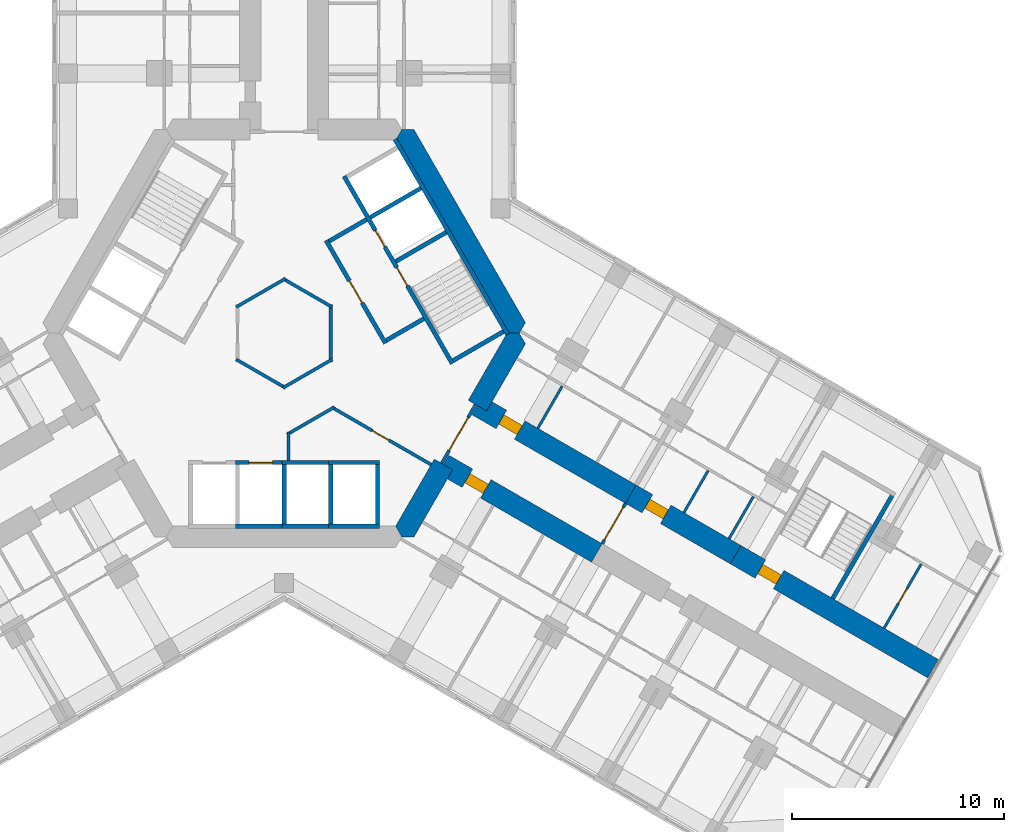
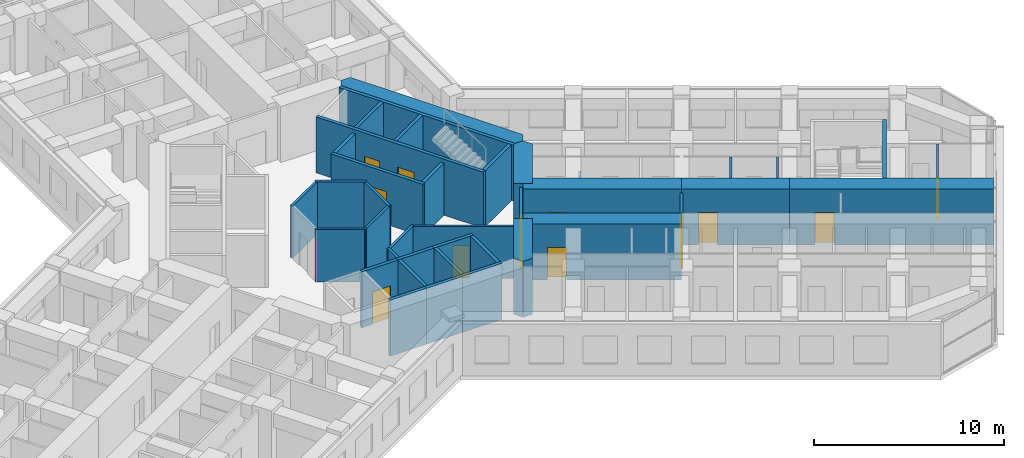
# One storey, part 15 of 21: 39 walls, 12 doors, 12 openings.
"""IFC4 building model written with IfcOpenShell, lengths in metres."""

from ifc_helpers import new_model, si_unit, direction, frame, frame_2d, origin, place, context, subcontext, project, spatial, polyline, rectangle, outline, extrude, material, layer, layer_set, type_object, element, fill, save


model = new_model("IFC4")

# Units and contexts
model_context = context("Model", 3, precision=1e-05, world=origin(), true_north=direction((0.0, 1.0)))
body_context = subcontext(model_context, "Body", "Model", "MODEL_VIEW")
ifc_project = project(units=[si_unit("LENGTHUNIT", "METRE"), si_unit("AREAUNIT", "SQUARE_METRE"), si_unit("VOLUMEUNIT", "CUBIC_METRE"), si_unit("PLANEANGLEUNIT", "RADIAN"), si_unit("MASSUNIT", "GRAM", prefix="KILO")], contexts=[model_context])

# Site, building, storey
site_placement = place(None, origin())
site = spatial("IfcSite", under=ifc_project, at=site_placement, CompositionType="ELEMENT")
building_placement = place(site_placement, origin())
building = spatial("IfcBuilding", under=site, at=building_placement, Name="Kosmar Iwan School Tower", CompositionType="ELEMENT")
storey_placement = place(building_placement, frame((0.0, 0.0, 106.0)))
storey = spatial("IfcBuildingStorey", under=building, at=storey_placement, Name="L26", CompositionType="ELEMENT", Elevation=106.0)

# Walls
ifc_material_1 = material(Name="Gypsum board on steel studs, fire-rated", Category="steel")
ifc_layer_1 = layer(ifc_material_1, 0.14990234375)
ifc_layer_set_1 = layer_set([ifc_layer_1], Name="Core room partition 150")
wall_type_1 = type_object("IfcWallType", Name="Core room partition 150", PredefinedType="PARTITIONING", material=ifc_layer_set_1)
for number, where, z_axis, x_axis, name in (
    (1, (2.264892578125, -1.232666015625, 0.0), (0.0, 0.0, 1.0), (-0.866011792348, -0.500023574959, 0.0), "Core room partition L26-CW4"),
    (2, (0.06494140625, -2.577880859375, 0.0), (0.0, 0.0, 1.0), (-0.866011792348, 0.500023574959, 0.0), "Core room partition L26-CW5"),
    (3, (-2.264892578125, 1.232666015625, 0.0), (0.0, 0.0, 1.0), (0.866011792348, 0.500023574959, 0.0), "Core room partition L26-CW7"),
    (4, (-0.06494140625, 2.577880859375, 0.0), (0.0, 0.0, 1.0), (0.866011792348, -0.500023574959, 0.0), "Core room partition L26-CW8"),
):
    element("IfcWall", number, at=place(storey_placement, frame(where, z_axis=z_axis, x_axis=x_axis)), inside=storey, type_object=wall_type_1, Name=name, PredefinedType="PARTITIONING", context=body_context, shape_type="SweptSolid", body=[
        extrude(rectangle(XDim=2.690185546875, YDim=0.14990234375, at=frame_2d((1.34521484375, 0.0))), origin(), (0.0, 0.0, 1.0), 3.35009765625),
    ])
wall_1_placement = place(storey_placement, frame((2.199951171875, 1.34521484375, 0.0), z_axis=(0.0, 0.0, 1.0), x_axis=(0.0, -1.0, 0.0)))
element("IfcWall", 5, at=wall_1_placement, inside=storey, type_object=wall_type_1, Name="Core room partition L26-CW9", PredefinedType="PARTITIONING", context=body_context, shape_type="SweptSolid", body=[
    extrude(rectangle(XDim=2.6904296875, YDim=0.14990234375, at=frame_2d((1.34521484375, 0.0))), origin(), (0.0, 0.0, 1.0), 3.35009765625),
])
wall_2_placement = place(storey_placement, frame((0.135009765625, -4.771728515625, 0.0), z_axis=(0.0, 0.0, 1.0), x_axis=(0.866046643894, 0.499963209246, 0.0)))
element("IfcWall", 6, at=wall_2_placement, inside=storey, type_object=wall_type_1, Name="Core room partition L26-CW10", PredefinedType="PARTITIONING", context=body_context, shape_type="SweptSolid", body=[
    extrude(rectangle(XDim=2.574951171875, YDim=0.14990234375, at=frame_2d((1.28759765625, 0.0))), origin(), (0.0, 0.0, 1.0), 3.35009765625),
])

# Wall, opening, door
wall_3_placement = place(storey_placement, frame((2.235107421875, -3.484375, 0.0), z_axis=(0.0, 0.0, 1.0), x_axis=(0.866020628587, -0.500008270794, 0.0)))
wall_3 = element("IfcWall", 7, at=wall_3_placement, inside=storey, type_object=wall_type_1, Name="Core room partition L26-CW11", PredefinedType="PARTITIONING", context=body_context, shape_type="SweptSolid", body=[
    extrude(rectangle(XDim=5.42236328125, YDim=0.14990234375, at=frame_2d((2.711181640625, 0.0))), origin(), (0.0, 0.0, 1.0), 3.35009765625),
])
opening_1_placement = place(wall_3_placement, frame((2.218994140625, 0.0, 0.0)))
opening_1 = element("IfcOpeningElement", 8, at=opening_1_placement, cuts=wall_3, Name="Opening D14", PredefinedType="OPENING", context=body_context, shape_type="SweptSolid", body=[
    extrude(rectangle(XDim=0.89990234375, YDim=2.10009765625, at=frame_2d((0.449951171875, 1.050048828125))), frame((0.0, 0.0869140625, 0.0), z_axis=(0.0, -1.0, 0.0), x_axis=(1.0, 0.0, 0.0)), (0.0, 0.0, 1.0), 0.173828125),
])
ifc_material_2 = material(Name="Timber fire door in steel frame", Category="steel")
door_type_1 = type_object("IfcDoorType", Name="Core room door 900x2100", OperationType="SINGLE_SWING_LEFT", PredefinedType="DOOR", material=ifc_material_2)
door_1_placement = place(opening_1_placement, origin())
door_1 = element("IfcDoor", 9, at=door_1_placement, inside=storey, type_object=door_type_1, Name="Refuse and recycling room door L26 4", OperationType="SINGLE_SWING_LEFT", OverallHeight=2.10009765625, OverallWidth=0.89990234375, PredefinedType="DOOR", context=body_context, shape_type="SweptSolid", body=[
    extrude(rectangle(XDim=0.89990234375, YDim=2.10009765625, at=frame_2d((0.449951171875, 1.050048828125))), frame((0.0, 0.02490234375, 0.0), z_axis=(0.0, -1.0, 0.0), x_axis=(1.0, 0.0, 0.0)), (0.0, 0.0, 1.0), 0.050048828125),
])
fill(opening_1, door_1)

# Walls
wall_4_placement = place(storey_placement, frame((0.199951171875, -6.0048828125, 0.0), z_axis=(0.0, 0.0, 1.0), x_axis=(0.0, 1.0, 0.0)))
element("IfcWall", 10, at=wall_4_placement, inside=storey, type_object=wall_type_1, Name="Core room partition L26-CW12", PredefinedType="PARTITIONING", context=body_context, shape_type="SweptSolid", body=[
    extrude(rectangle(XDim=1.345703125, YDim=0.14990234375, at=frame_2d((0.6728515625, 0.0))), origin(), (0.0, 0.0, 1.0), 3.35009765625),
])
ifc_material_3 = material(Name="Concrete C50/60", Category="concrete")
ifc_layer_2 = layer(ifc_material_3, 1.0)
ifc_layer_set_2 = layer_set([ifc_layer_2], Name="Core wall 1000")
wall_type_2 = type_object("IfcWallType", Name="Core wall 1000", PredefinedType="SHEAR", material=ifc_layer_set_2)
wall_5_placement = place(storey_placement, origin())
element("IfcWall", 11, at=wall_5_placement, inside=storey, type_object=wall_type_2, Name="Core wall F030", PredefinedType="SHEAR", context=body_context, shape_type="SweptSolid", body=[
    extrude(outline(polyline([(10.5078125, 0.0), (11.085205078125, 0.0), (11.373779296875, 0.5), (6.119873046875, 9.60009765625), (5.54248046875, 9.60009765625), (5.25390625, 9.10009765625), (10.5078125, 0.0)])), origin(), (0.0, 0.0, 1.0), 3.60009765625),
])
wall_6_placement = place(storey_placement, origin())
element("IfcWall", 12, at=wall_6_placement, inside=storey, type_object=wall_type_2, Name="Core wall F330a", PredefinedType="SHEAR", context=body_context, shape_type="SweptSolid", body=[
    extrude(outline(polyline([(5.54248046875, -9.60009765625), (6.119873046875, -9.60009765625), (7.94677734375, -6.435546875), (7.080810546875, -5.935546875), (5.25390625, -9.10009765625), (5.54248046875, -9.60009765625)])), origin(), (0.0, 0.0, 1.0), 3.60009765625),
])
wall_7_placement = place(storey_placement, origin())
element("IfcWall", 13, at=wall_7_placement, inside=storey, type_object=wall_type_2, Name="Core wall F330b", PredefinedType="SHEAR", context=body_context, shape_type="SweptSolid", body=[
    extrude(outline(polyline([(9.546875, -3.664306640625), (11.373779296875, -0.5), (11.085205078125, 0.0), (10.5078125, 0.0), (8.680908203125, -3.164306640625), (9.546875, -3.664306640625)])), origin(), (0.0, 0.0, 1.0), 3.60009765625),
])

# Wall, opening, door
ifc_material_4 = material(Name="Concrete C50/60", Category="concrete")
ifc_layer_3 = layer(ifc_material_4, 1.0)
ifc_layer_set_3 = layer_set([ifc_layer_3], Name="Corridor buttress wall 1000")
wall_type_3 = type_object("IfcWallType", Name="Corridor buttress wall 1000", PredefinedType="SHEAR", material=ifc_layer_set_3)
wall_8_placement = place(storey_placement, frame((9.11376953125, -3.414306640625, 0.0), z_axis=(0.0, 0.0, 1.0), x_axis=(0.866026859388, -0.499997478812, 0.0)))
wall_8 = element("IfcWall", 14, at=wall_8_placement, inside=storey, type_object=wall_type_3, Name="Corridor wall CL", PredefinedType="SHEAR", context=body_context, shape_type="SweptSolid", body=[
    extrude(rectangle(XDim=8.35009765625, YDim=1.0, at=frame_2d((4.175048828125, 0.0))), origin(), (0.0, 0.0, 1.0), 3.60009765625),
])
opening_2_placement = place(wall_8_placement, frame((1.300048828125, 0.0, 0.0)))
opening_2 = element("IfcOpeningElement", 15, at=opening_2_placement, cuts=wall_8, Name="Opening D1", PredefinedType="OPENING", context=body_context, shape_type="SweptSolid", body=[
    extrude(rectangle(XDim=1.0, YDim=2.10009765625, at=frame_2d((0.5, 1.050048828125))), frame((0.0, 0.511962890625, 0.0), z_axis=(0.0, -1.0, 0.0), x_axis=(1.0, 0.0, 0.0)), (0.0, 0.0, 1.0), 1.02392578125),
])
ifc_material_5 = material(Name="Timber fire door in steel frame", Category="steel")
door_type_2 = type_object("IfcDoorType", Name="Flat entrance door 1000x2100", OperationType="SINGLE_SWING_LEFT", PredefinedType="DOOR", material=ifc_material_5)
door_2_placement = place(opening_2_placement, origin())
door_2 = element("IfcDoor", 16, at=door_2_placement, inside=storey, type_object=door_type_2, Name="Flat L26-CL1 entrance door", OperationType="SINGLE_SWING_RIGHT", OverallHeight=2.10009765625, OverallWidth=1.0, PredefinedType="DOOR", context=body_context, shape_type="SweptSolid", body=[
    extrude(rectangle(XDim=1.0, YDim=2.10009765625, at=frame_2d((0.5, 1.050048828125))), frame((0.0, 0.25, 0.0), z_axis=(0.0, -1.0, 0.0), x_axis=(1.0, 0.0, 0.0)), (0.0, 0.0, 1.0), 0.5),
])
fill(opening_2, door_2)

wall_9_placement = place(storey_placement, frame((16.34521484375, -7.58935546875, 0.0), z_axis=(0.0, 0.0, 1.0), x_axis=(0.866015111908, -0.50001782563, 0.0)))
wall_9 = element("IfcWall", 17, at=wall_9_placement, inside=storey, type_object=wall_type_3, Name="Corridor wall CL bay 2", PredefinedType="SHEAR", context=body_context, shape_type="SweptSolid", body=[
    extrude(rectangle(XDim=5.699951171875, YDim=1.0, at=frame_2d((2.85009765625, 0.0))), origin(), (0.0, 0.0, 1.0), 3.60009765625),
])
opening_3_placement = place(wall_9_placement, frame((0.89990234375, 0.0, 0.0)))
opening_3 = element("IfcOpeningElement", 18, at=opening_3_placement, cuts=wall_9, Name="Opening D1", PredefinedType="OPENING", context=body_context, shape_type="SweptSolid", body=[
    extrude(rectangle(XDim=1.0, YDim=2.10009765625, at=frame_2d((0.5, 1.050048828125))), frame((0.0, 0.511962890625, 0.0), z_axis=(0.0, -1.0, 0.0), x_axis=(1.0, 0.0, 0.0)), (0.0, 0.0, 1.0), 1.02392578125),
])
door_3_placement = place(opening_3_placement, origin())
door_3 = element("IfcDoor", 19, at=door_3_placement, inside=storey, type_object=door_type_2, Name="Flat L26-CL2 entrance door", OperationType="SINGLE_SWING_RIGHT", OverallHeight=2.10009765625, OverallWidth=1.0, PredefinedType="DOOR", context=body_context, shape_type="SweptSolid", body=[
    extrude(rectangle(XDim=1.0, YDim=2.10009765625, at=frame_2d((0.5, 1.050048828125))), frame((0.0, 0.25, 0.0), z_axis=(0.0, -1.0, 0.0), x_axis=(1.0, 0.0, 0.0)), (0.0, 0.0, 1.0), 0.5),
])
fill(opening_3, door_3)

wall_10_placement = place(storey_placement, frame((21.281494140625, -10.439453125, 0.0), z_axis=(0.0, 0.0, 1.0), x_axis=(0.866032345022, -0.499987977232, 0.0)))
wall_10 = element("IfcWall", 20, at=wall_10_placement, inside=storey, type_object=wall_type_3, Name="Corridor wall CL bay 3", PredefinedType="SHEAR", context=body_context, shape_type="SweptSolid", body=[
    extrude(rectangle(XDim=10.744873046875, YDim=1.0, at=frame_2d((5.37255859375, 0.0))), origin(), (0.0, 0.0, 1.0), 3.60009765625),
])
opening_4_placement = place(wall_10_placement, frame((1.35009765625, 0.0, 0.0)))
opening_4 = element("IfcOpeningElement", 21, at=opening_4_placement, cuts=wall_10, Name="Opening D6", PredefinedType="OPENING", context=body_context, shape_type="SweptSolid", body=[
    extrude(rectangle(XDim=1.0, YDim=2.10009765625, at=frame_2d((0.5, 1.050048828125))), frame((0.0, 0.511962890625, 0.0), z_axis=(0.0, -1.0, 0.0), x_axis=(1.0, 0.0, 0.0)), (0.0, 0.0, 1.0), 1.02392578125),
])
ifc_material_6 = material(Name="Steel fire door", Category="steel")
door_type_3 = type_object("IfcDoorType", Name="Stair door 1000x2100", OperationType="SINGLE_SWING_LEFT", PredefinedType="DOOR", material=ifc_material_6)
door_4_placement = place(opening_4_placement, origin())
door_4 = element("IfcDoor", 22, at=door_4_placement, inside=storey, type_object=door_type_3, Name="Stair WS3 door L26", OperationType="SINGLE_SWING_LEFT", OverallHeight=2.10009765625, OverallWidth=1.0, PredefinedType="DOOR", context=body_context, shape_type="SweptSolid", body=[
    extrude(rectangle(XDim=1.0, YDim=2.10009765625, at=frame_2d((0.5, 1.050048828125))), frame((0.0, 0.25, 0.0), z_axis=(0.0, -1.0, 0.0), x_axis=(1.0, 0.0, 0.0)), (0.0, 0.0, 1.0), 0.5),
])
fill(opening_4, door_4)

wall_11_placement = place(storey_placement, frame((7.513916015625, -6.185546875, 0.0), z_axis=(0.0, 0.0, 1.0), x_axis=(0.866019549707, -0.500010139422, 0.0)))
wall_11 = element("IfcWall", 23, at=wall_11_placement, inside=storey, type_object=wall_type_3, Name="Corridor wall CR", PredefinedType="SHEAR", context=body_context, shape_type="SweptSolid", body=[
    extrude(rectangle(XDim=8.349853515625, YDim=1.0, at=frame_2d((4.1748046875, 0.0))), origin(), (0.0, 0.0, 1.0), 3.60009765625),
])
opening_5_placement = place(wall_11_placement, frame((1.300048828125, 0.0, 0.0)))
opening_5 = element("IfcOpeningElement", 24, at=opening_5_placement, cuts=wall_11, Name="Opening D1", PredefinedType="OPENING", context=body_context, shape_type="SweptSolid", body=[
    extrude(rectangle(XDim=1.0, YDim=2.10009765625, at=frame_2d((0.5, 1.050048828125))), frame((0.0, 0.511962890625, 0.0), z_axis=(0.0, -1.0, 0.0), x_axis=(1.0, 0.0, 0.0)), (0.0, 0.0, 1.0), 1.02392578125),
])
door_5_placement = place(opening_5_placement, origin())
door_5 = element("IfcDoor", 25, at=door_5_placement, inside=storey, type_object=door_type_2, Name="Flat L26-CR1 entrance door", OperationType="SINGLE_SWING_LEFT", OverallHeight=2.10009765625, OverallWidth=1.0, PredefinedType="DOOR", context=body_context, shape_type="SweptSolid", body=[
    extrude(rectangle(XDim=1.0, YDim=2.10009765625, at=frame_2d((0.5, 1.050048828125))), frame((0.0, 0.25, 0.0), z_axis=(0.0, -1.0, 0.0), x_axis=(1.0, 0.0, 0.0)), (0.0, 0.0, 1.0), 0.5),
])
fill(opening_5, door_5)

ifc_material_7 = material(Name="Gypsum board on steel studs, fire-rated", Category="steel")
ifc_layer_4 = layer(ifc_material_7, 0.14990234375)
ifc_layer_set_4 = layer_set([ifc_layer_4], Name="Corridor end wall 150")
wall_type_4 = type_object("IfcWallType", Name="Corridor end wall 150", PredefinedType="PARTITIONING", material=ifc_layer_set_4)
wall_12_placement = place(storey_placement, frame((14.9951171875, -9.927734375, 0.0), z_axis=(0.0, 0.0, 1.0), x_axis=(0.50002983664, 0.866008176907, 0.0)))
wall_12 = element("IfcWall", 26, at=wall_12_placement, inside=storey, type_object=wall_type_4, Name="Partition L26-C-HW", PredefinedType="PARTITIONING", context=body_context, shape_type="SweptSolid", body=[
    extrude(rectangle(XDim=2.199951171875, YDim=0.14990234375, at=frame_2d((1.10009765625, 0.0))), origin(), (0.0, 0.0, 1.0), 3.35009765625),
])
opening_6_placement = place(wall_12_placement, frame((0.199951171875, 0.0, 0.0)))
opening_6 = element("IfcOpeningElement", 27, at=opening_6_placement, cuts=wall_12, Name="Opening D9", PredefinedType="OPENING", context=body_context, shape_type="SweptSolid", body=[
    extrude(rectangle(XDim=1.800048828125, YDim=2.10009765625, at=frame_2d((0.89990234375, 1.050048828125))), frame((0.0, 0.0869140625, 0.0), z_axis=(0.0, -1.0, 0.0), x_axis=(1.0, 0.0, 0.0)), (0.0, 0.0, 1.0), 0.173828125),
])
ifc_material_8 = material(Name="Steel framed glazed smoke door", Category="steel")
door_type_4 = type_object("IfcDoorType", Name="Corridor smoke door pair 1800x2100", OperationType="DOUBLE_DOOR_DOUBLE_SWING", PredefinedType="DOOR", material=ifc_material_8)
door_6_placement = place(opening_6_placement, origin())
door_6 = element("IfcDoor", 28, at=door_6_placement, inside=storey, type_object=door_type_4, Name="Entrance vestibule smoke doors L26-C", OperationType="DOUBLE_DOOR_DOUBLE_SWING", OverallHeight=2.10009765625, OverallWidth=1.800048828125, PredefinedType="DOOR", context=body_context, shape_type="SweptSolid", body=[
    extrude(rectangle(XDim=1.800048828125, YDim=2.10009765625, at=frame_2d((0.89990234375, 1.050048828125))), frame((0.0, 0.02490234375, 0.0), z_axis=(0.0, -1.0, 0.0), x_axis=(1.0, 0.0, 0.0)), (0.0, 0.0, 1.0), 0.050048828125),
])
fill(opening_6, door_6)

ifc_material_9 = material(Name="Steel framed glazed screen", Category="steel")
ifc_layer_5 = layer(ifc_material_9, 0.14990234375)
ifc_layer_set_5 = layer_set([ifc_layer_5], Name="Corridor screen wall 150")
wall_type_5 = type_object("IfcWallType", Name="Corridor screen wall 150", PredefinedType="PARTITIONING", material=ifc_layer_set_5)
wall_13_placement = place(storey_placement, frame((7.42724609375, -6.1357421875, 0.0), z_axis=(0.0, 0.0, 1.0), x_axis=(0.499995408039, 0.866028054938, 0.0)))
wall_13 = element("IfcWall", 29, at=wall_13_placement, inside=storey, type_object=wall_type_5, Name="Corridor screen C L26", PredefinedType="PARTITIONING", context=body_context, shape_type="SweptSolid", body=[
    extrude(rectangle(XDim=3.2001953125, YDim=0.14990234375, at=frame_2d((1.60009765625, 0.0))), origin(), (0.0, 0.0, 1.0), 3.35009765625),
])
opening_7_placement = place(wall_13_placement, frame((0.699951171875, 0.0, 0.0)))
opening_7 = element("IfcOpeningElement", 30, at=opening_7_placement, cuts=wall_13, Name="Opening D9", PredefinedType="OPENING", context=body_context, shape_type="SweptSolid", body=[
    extrude(rectangle(XDim=1.800048828125, YDim=2.10009765625, at=frame_2d((0.89990234375, 1.050048828125))), frame((0.0, 0.0869140625, 0.0), z_axis=(0.0, -1.0, 0.0), x_axis=(1.0, 0.0, 0.0)), (0.0, 0.0, 1.0), 0.173828125),
])
door_7_placement = place(opening_7_placement, origin())
door_7 = element("IfcDoor", 31, at=door_7_placement, inside=storey, type_object=door_type_4, Name="Corridor doors C L26", OperationType="DOUBLE_DOOR_DOUBLE_SWING", OverallHeight=2.10009765625, OverallWidth=1.800048828125, PredefinedType="DOOR", context=body_context, shape_type="SweptSolid", body=[
    extrude(rectangle(XDim=1.800048828125, YDim=2.10009765625, at=frame_2d((0.89990234375, 1.050048828125))), frame((0.0, 0.02490234375, 0.0), z_axis=(0.0, -1.0, 0.0), x_axis=(1.0, 0.0, 0.0)), (0.0, 0.0, 1.0), 0.050048828125),
])
fill(opening_7, door_7)

# Walls
ifc_material_10 = material(Name="Gypsum board on steel studs", Category="steel")
ifc_layer_6 = layer(ifc_material_10, 0.1201171875)
ifc_layer_set_6 = layer_set([ifc_layer_6], Name="Dwelling partition 120")
wall_type_6 = type_object("IfcWallType", Name="Dwelling partition 120", PredefinedType="PARTITIONING", material=ifc_layer_set_6)
wall_14_placement = place(storey_placement, frame((11.9619140625, -4.4814453125, 0.0), z_axis=(0.0, 0.0, 1.0), x_axis=(0.499968531483, 0.866043571379, 0.0)))
element("IfcWall", 32, at=wall_14_placement, inside=storey, type_object=wall_type_6, Name="Partition L26-CL1-Y1", PredefinedType="PARTITIONING", context=body_context, shape_type="SweptSolid", body=[
    extrude(rectangle(XDim=2.290283203125, YDim=0.1201171875, at=frame_2d((1.14501953125, 0.0))), origin(), (0.0, 0.0, 1.0), 2.449951171875),
])
for number, where, z_axis, x_axis, name in (
    (33, (18.846923828125, -8.456298828125, 0.0), (0.0, 0.0, 1.0), (0.500014693593, 0.866016920268, 0.0), "Partition L26-CL2-Y1"),
    (34, (20.977294921875, -9.686279296875, 0.0), (0.0, 0.0, 1.0), (0.500014693593, 0.866016920268, 0.0), "Partition L26-CL2-Y2"),
):
    element("IfcWall", number, at=place(storey_placement, frame(where, z_axis=z_axis, x_axis=x_axis)), inside=storey, type_object=wall_type_6, Name=name, PredefinedType="PARTITIONING", context=body_context, shape_type="SweptSolid", body=[
        extrude(rectangle(XDim=2.2900390625, YDim=0.1201171875, at=frame_2d((1.14501953125, 0.0))), origin(), (0.0, 0.0, 1.0), 3.35009765625),
    ])

# Wall, opening, door
wall_15_placement = place(storey_placement, frame((28.286376953125, -13.90625, 0.0), z_axis=(0.0, 0.0, 1.0), x_axis=(0.50002117804, 0.866013176292, 0.0)))
wall_15 = element("IfcWall", 35, at=wall_15_placement, inside=storey, type_object=wall_type_6, Name="Partition L26-CL2-TY", PredefinedType="PARTITIONING", context=body_context, shape_type="SweptSolid", body=[
    extrude(rectangle(XDim=3.489990234375, YDim=0.1201171875, at=frame_2d((1.7451171875, 0.0))), origin(), (0.0, 0.0, 1.0), 3.35009765625),
])
opening_8_placement = place(wall_15_placement, frame((1.344970703125, 0.0, 0.0)))
opening_8 = element("IfcOpeningElement", 36, at=opening_8_placement, cuts=wall_15, Name="Opening D3", PredefinedType="OPENING", context=body_context, shape_type="SweptSolid", body=[
    extrude(rectangle(XDim=0.800048828125, YDim=2.10009765625, at=frame_2d((0.39990234375, 1.050048828125))), frame((0.0, 0.072021484375, 0.0), z_axis=(0.0, -1.0, 0.0), x_axis=(1.0, 0.0, 0.0)), (0.0, 0.0, 1.0), 0.14404296875),
])
ifc_material_11 = material(Name="Timber door in timber frame", Category="wood")
door_type_5 = type_object("IfcDoorType", Name="Sanitary room door 800x2100", OperationType="SINGLE_SWING_LEFT", PredefinedType="DOOR", material=ifc_material_11)
door_8_placement = place(opening_8_placement, origin())
door_8 = element("IfcDoor", 37, at=door_8_placement, inside=storey, type_object=door_type_5, Name="Shower room door L26-CL2-T4", OperationType="SINGLE_SWING_LEFT", OverallHeight=2.10009765625, OverallWidth=0.800048828125, PredefinedType="DOOR", context=body_context, shape_type="SweptSolid", body=[
    extrude(rectangle(XDim=0.800048828125, YDim=2.10009765625, at=frame_2d((0.39990234375, 1.050048828125))), frame((0.0, 0.02490234375, 0.0), z_axis=(0.0, -1.0, 0.0), x_axis=(1.0, 0.0, 0.0)), (0.0, 0.0, 1.0), 0.050048828125),
])
fill(opening_8, door_8)

# Wall
ifc_material_12 = material(Name="Concrete C35/45", Category="concrete")
ifc_layer_7 = layer(ifc_material_12, 0.199951171875)
ifc_layer_set_7 = layer_set([ifc_layer_7], Name="Escape stair wall 200")
wall_type_7 = type_object("IfcWallType", Name="Escape stair wall 200", PredefinedType="SHEAR", material=ifc_layer_set_7)
wall_16_placement = place(storey_placement, frame((25.861572265625, -12.50634765625, 0.0), z_axis=(0.0, 0.0, 1.0), x_axis=(0.500018801468, 0.86601454848, 0.0)))
element("IfcWall", 38, at=wall_16_placement, inside=storey, type_object=wall_type_7, Name="Stair WS3 wall", PredefinedType="SHEAR", context=body_context, shape_type="SweptSolid", body=[
    extrude(rectangle(XDim=5.800048828125, YDim=0.199951171875, at=frame_2d((2.89990234375, 0.0))), origin(), (0.0, 0.0, 1.0), 3.330078125),
])

# Wall, opening, door
ifc_material_13 = material(Name="Concrete block masonry", Category="masonry")
ifc_layer_8 = layer(ifc_material_13, 0.199951171875)
ifc_layer_set_8 = layer_set([ifc_layer_8], Name="Fire lobby wall 200")
wall_type_8 = type_object("IfcWallType", Name="Fire lobby wall 200", PredefinedType="PARTITIONING", material=ifc_layer_set_8)
wall_17_placement = place(storey_placement, frame((4.777587890625, -0.474853515625, 0.0), z_axis=(0.0, 0.0, 1.0), x_axis=(-0.500016814911, 0.866015695474, 0.0)))
wall_17 = element("IfcWall", 39, at=wall_17_placement, inside=storey, type_object=wall_type_8, Name="Firefighting lobby wall ST1", PredefinedType="PARTITIONING", context=body_context, shape_type="SweptSolid", body=[
    extrude(rectangle(XDim=5.599853515625, YDim=0.199951171875, at=frame_2d((2.7998046875, 0.0))), origin(), (0.0, 0.0, 1.0), 3.35009765625),
])
opening_9_placement = place(wall_17_placement, frame((2.199951171875, 0.0, 0.0)))
opening_9 = element("IfcOpeningElement", 40, at=opening_9_placement, cuts=wall_17, Name="Opening D7", PredefinedType="OPENING", context=body_context, shape_type="SweptSolid", body=[
    extrude(rectangle(XDim=1.199951171875, YDim=2.10009765625, at=frame_2d((0.60009765625, 1.050048828125))), frame((0.0, 0.112060546875, 0.0), z_axis=(0.0, -1.0, 0.0), x_axis=(1.0, 0.0, 0.0)), (0.0, 0.0, 1.0), 0.223876953125),
])
ifc_material_14 = material(Name="Steel fire door", Category="steel")
door_type_6 = type_object("IfcDoorType", Name="Fire lobby door 1200x2100", OperationType="SINGLE_SWING_LEFT", PredefinedType="DOOR", material=ifc_material_14)
door_9_placement = place(opening_9_placement, origin())
door_9 = element("IfcDoor", 41, at=door_9_placement, inside=storey, type_object=door_type_6, Name="Firefighting lobby door ST1 L26", OperationType="SINGLE_SWING_RIGHT", OverallHeight=2.10009765625, OverallWidth=1.199951171875, PredefinedType="DOOR", context=body_context, shape_type="SweptSolid", body=[
    extrude(rectangle(XDim=1.199951171875, YDim=2.10009765625, at=frame_2d((0.60009765625, 1.050048828125))), frame((0.0, 0.02490234375, 0.0), z_axis=(0.0, -1.0, 0.0), x_axis=(1.0, 0.0, 0.0)), (0.0, 0.0, 1.0), 0.050048828125),
])
fill(opening_9, door_9)

# Walls
wall_18_placement = place(storey_placement, frame((4.814208984375, -0.33837890625, 0.0), z_axis=(0.0, 0.0, 1.0), x_axis=(0.865969381856, 0.500097020274, 0.0)))
element("IfcWall", 42, at=wall_18_placement, inside=storey, type_object=wall_type_8, Name="Firefighting lobby wall ST1", PredefinedType="PARTITIONING", context=body_context, shape_type="SweptSolid", body=[
    extrude(rectangle(XDim=2.0498046875, YDim=0.199951171875, at=frame_2d((1.02490234375, 0.0))), origin(), (0.0, 0.0, 1.0), 3.35009765625),
])
wall_19_placement = place(storey_placement, frame((2.114013671875, 4.33837890625, 0.0), z_axis=(0.0, 0.0, 1.0), x_axis=(0.866050731258, 0.499956128963, 0.0)))
element("IfcWall", 43, at=wall_19_placement, inside=storey, type_object=wall_type_8, Name="Firefighting lobby wall ST1", PredefinedType="PARTITIONING", context=body_context, shape_type="SweptSolid", body=[
    extrude(rectangle(XDim=2.050048828125, YDim=0.199951171875, at=frame_2d((1.02490234375, 0.0))), origin(), (0.0, 0.0, 1.0), 3.35009765625),
])

# Wall, openings, doors
ifc_material_15 = material(Name="Concrete C50/60", Category="concrete")
ifc_layer_9 = layer(ifc_material_15, 0.199951171875)
ifc_layer_set_9 = layer_set([ifc_layer_9], Name="Lift shaft wall 200")
wall_type_9 = type_object("IfcWallType", Name="Lift shaft wall 200", PredefinedType="SHEAR", material=ifc_layer_set_9)
wall_20_placement = place(storey_placement, frame((7.926025390625, -1.42822265625, 0.0), z_axis=(0.0, 0.0, 1.0), x_axis=(-0.499998023675, 0.866026544813, 0.0)))
wall_20 = element("IfcWall", 44, at=wall_20_placement, inside=storey, type_object=wall_type_9, Name="Lift and stair front wall AC", PredefinedType="SHEAR", context=body_context, shape_type="SweptSolid", body=[
    extrude(rectangle(XDim=10.19970703125, YDim=0.199951171875, at=frame_2d((5.099853515625, 0.0))), origin(), (0.0, 0.0, 1.0), 3.60009765625),
])
opening_10_placement = place(wall_20_placement, frame((6.35009765625, 0.0, 0.0)))
opening_10 = element("IfcOpeningElement", 45, at=opening_10_placement, cuts=wall_20, Name="Opening LD2", PredefinedType="OPENING", context=body_context, shape_type="SweptSolid", body=[
    extrude(rectangle(XDim=0.89990234375, YDim=2.10009765625, at=frame_2d((0.449951171875, 1.050048828125))), frame((0.0, 0.112060546875, 0.0), z_axis=(0.0, -1.0, 0.0), x_axis=(1.0, 0.0, 0.0)), (0.0, 0.0, 1.0), 0.223876953125),
])
opening_11_placement = place(wall_20_placement, frame((4.22998046875, 0.0, 0.0)))
opening_11 = element("IfcOpeningElement", 46, at=opening_11_placement, cuts=wall_20, Name="Opening D6", PredefinedType="OPENING", context=body_context, shape_type="SweptSolid", body=[
    extrude(rectangle(XDim=1.0, YDim=2.10009765625, at=frame_2d((0.5, 1.050048828125))), frame((0.0, 0.112060546875, 0.0), z_axis=(0.0, -1.0, 0.0), x_axis=(1.0, 0.0, 0.0)), (0.0, 0.0, 1.0), 0.223876953125),
])
ifc_material_16 = material(Name="Stainless steel sliding lift door", Category="steel")
door_type_7 = type_object("IfcDoorType", Name="Firefighting lift landing door 900x2100", OperationType="SLIDING_TO_LEFT", PredefinedType="DOOR", material=ifc_material_16)
door_10_placement = place(opening_10_placement, origin())
door_10 = element("IfcDoor", 47, at=door_10_placement, inside=storey, type_object=door_type_7, Name="Lift FF1 landing door L26", OperationType="SLIDING_TO_LEFT", OverallHeight=2.10009765625, OverallWidth=0.89990234375, PredefinedType="DOOR", context=body_context, shape_type="SweptSolid", body=[
    extrude(rectangle(XDim=0.89990234375, YDim=2.10009765625, at=frame_2d((0.449951171875, 1.050048828125))), frame((0.0, 0.02490234375, 0.0), z_axis=(0.0, -1.0, 0.0), x_axis=(1.0, 0.0, 0.0)), (0.0, 0.0, 1.0), 0.050048828125),
])
fill(opening_10, door_10)
door_11_placement = place(opening_11_placement, origin())
door_11 = element("IfcDoor", 48, at=door_11_placement, inside=storey, type_object=door_type_3, Name="Stair ST1 door L26", OperationType="SINGLE_SWING_LEFT", OverallHeight=2.10009765625, OverallWidth=1.0, PredefinedType="DOOR", context=body_context, shape_type="SweptSolid", body=[
    extrude(rectangle(XDim=1.0, YDim=2.10009765625, at=frame_2d((0.5, 1.050048828125))), frame((0.0, 0.02490234375, 0.0), z_axis=(0.0, -1.0, 0.0), x_axis=(1.0, 0.0, 0.0)), (0.0, 0.0, 1.0), 0.050048828125),
])
fill(opening_11, door_11)

# Walls
wall_21_placement = place(storey_placement, frame((10.53662109375, -0.050048828125, 0.0), z_axis=(0.0, 0.0, 1.0), x_axis=(-0.499994998079, 0.866028291626, 0.0)))
element("IfcWall", 49, at=wall_21_placement, inside=storey, type_object=wall_type_9, Name="Lift and stair back wall AC", PredefinedType="SHEAR", context=body_context, shape_type="SweptSolid", body=[
    extrude(rectangle(XDim=10.623046875, YDim=0.199951171875, at=frame_2d((5.3115234375, 0.0))), origin(), (0.0, 0.0, 1.0), 3.60009765625),
])
wall_22_placement = place(storey_placement, frame((4.062744140625, 5.46337890625, 0.0), z_axis=(0.0, 0.0, 1.0), x_axis=(0.866027397988, 0.499996545922, 0.0)))
element("IfcWall", 50, at=wall_22_placement, inside=storey, type_object=wall_type_9, Name="Lift shaft wall AC 1", PredefinedType="SHEAR", context=body_context, shape_type="SweptSolid", body=[
    extrude(rectangle(XDim=2.75, YDim=0.199951171875, at=frame_2d((1.375, 0.0))), origin(), (0.0, 0.0, 1.0), 3.60009765625),
])

# Wall, opening, door
wall_23_placement = place(storey_placement, frame((-2.300048828125, -6.10009765625, 0.0), z_axis=(0.0, 0.0, 1.0), x_axis=(1.0, 0.0, 0.0)))
wall_23 = element("IfcWall", 51, at=wall_23_placement, inside=storey, type_object=wall_type_9, Name="Lift and stair front wall BC", PredefinedType="SHEAR", context=body_context, shape_type="SweptSolid", body=[
    extrude(rectangle(XDim=2.199951171875, YDim=0.199951171875, at=frame_2d((1.10009765625, 0.0))), origin(), (0.0, 0.0, 1.0), 3.60009765625),
])
opening_12_placement = place(wall_23_placement, frame((0.64990234375, 0.0, 0.0)))
opening_12 = element("IfcOpeningElement", 52, at=opening_12_placement, cuts=wall_23, Name="Opening LD1", PredefinedType="OPENING", context=body_context, shape_type="SweptSolid", body=[
    extrude(rectangle(XDim=1.10009765625, YDim=2.10009765625, at=frame_2d((0.550048828125, 1.050048828125))), frame((0.0, 0.112060546875, 0.0), z_axis=(0.0, -1.0, 0.0), x_axis=(1.0, 0.0, 0.0)), (0.0, 0.0, 1.0), 0.223876953125),
])
ifc_material_17 = material(Name="Stainless steel sliding lift door", Category="steel")
door_type_8 = type_object("IfcDoorType", Name="Lift landing door 1100x2100", OperationType="SLIDING_TO_LEFT", PredefinedType="DOOR", material=ifc_material_17)
door_12_placement = place(opening_12_placement, origin())
door_12 = element("IfcDoor", 53, at=door_12_placement, inside=storey, type_object=door_type_8, Name="Lift PL2 landing door L26", OperationType="SLIDING_TO_LEFT", OverallHeight=2.10009765625, OverallWidth=1.10009765625, PredefinedType="DOOR", context=body_context, shape_type="SweptSolid", body=[
    extrude(rectangle(XDim=1.10009765625, YDim=2.10009765625, at=frame_2d((0.550048828125, 1.050048828125))), frame((0.0, 0.02490234375, 0.0), z_axis=(0.0, -1.0, 0.0), x_axis=(1.0, 0.0, 0.0)), (0.0, 0.0, 1.0), 0.050048828125),
])
fill(opening_12, door_12)

# Walls
wall_24_placement = place(storey_placement, frame((-2.300048828125, -9.10009765625, 0.0), z_axis=(0.0, 0.0, 1.0), x_axis=(1.0, 0.0, 0.0)))
element("IfcWall", 54, at=wall_24_placement, inside=storey, type_object=wall_type_9, Name="Lift and stair back wall BC", PredefinedType="SHEAR", context=body_context, shape_type="SweptSolid", body=[
    extrude(rectangle(XDim=2.199951171875, YDim=0.199951171875, at=frame_2d((1.10009765625, 0.0))), origin(), (0.0, 0.0, 1.0), 3.60009765625),
])
for number, where, z_axis, x_axis, name in (
    (55, (-0.10009765625, -6.10009765625, 0.0), (0.0, 0.0, 1.0), (1.0, 0.0, 0.0), "Lift and stair front wall BC"),
    (56, (-0.10009765625, -9.10009765625, 0.0), (0.0, 0.0, 1.0), (1.0, 0.0, 0.0), "Lift and stair back wall BC"),
):
    element("IfcWall", number, at=place(storey_placement, frame(where, z_axis=z_axis, x_axis=x_axis)), inside=storey, type_object=wall_type_9, Name=name, PredefinedType="SHEAR", context=body_context, shape_type="SweptSolid", body=[
        extrude(rectangle(XDim=2.2001953125, YDim=0.199951171875, at=frame_2d((1.10009765625, 0.0))), origin(), (0.0, 0.0, 1.0), 3.60009765625),
    ])
for number, where, z_axis, x_axis, name in (
    (57, (2.10009765625, -6.10009765625, 0.0), (0.0, 0.0, 1.0), (1.0, 0.0, 0.0), "Lift and stair front wall BC"),
    (58, (2.10009765625, -9.10009765625, 0.0), (0.0, 0.0, 1.0), (1.0, 0.0, 0.0), "Lift and stair back wall BC"),
):
    element("IfcWall", number, at=place(storey_placement, frame(where, z_axis=z_axis, x_axis=x_axis)), inside=storey, type_object=wall_type_9, Name=name, PredefinedType="SHEAR", context=body_context, shape_type="SweptSolid", body=[
        extrude(rectangle(XDim=2.39990234375, YDim=0.199951171875, at=frame_2d((1.199951171875, 0.0))), origin(), (0.0, 0.0, 1.0), 3.60009765625),
    ])
for number, where, z_axis, x_axis, name in (
    (59, (0.0, -6.199951171875, 0.0), (0.0, 0.0, 1.0), (0.0, -1.0, 0.0), "Lift shaft wall BC 2"),
    (60, (2.199951171875, -6.199951171875, 0.0), (0.0, 0.0, 1.0), (0.0, -1.0, 0.0), "Lift shaft wall BC 3"),
    (61, (4.39990234375, -6.199951171875, 0.0), (0.0, 0.0, 1.0), (0.0, -1.0, 0.0), "Lift shaft wall BC 4"),
):
    element("IfcWall", number, at=place(storey_placement, frame(where, z_axis=z_axis, x_axis=x_axis)), inside=storey, type_object=wall_type_9, Name=name, PredefinedType="SHEAR", context=body_context, shape_type="SweptSolid", body=[
        extrude(rectangle(XDim=2.800048828125, YDim=0.199951171875, at=frame_2d((1.39990234375, 0.0))), origin(), (0.0, 0.0, 1.0), 3.60009765625),
    ])
ifc_material_18 = material(Name="Concrete C50/60", Category="concrete")
ifc_layer_10 = layer(ifc_material_18, 0.199951171875)
ifc_layer_set_10 = layer_set([ifc_layer_10], Name="Stair enclosure wall 200")
wall_type_10 = type_object("IfcWallType", Name="Stair enclosure wall 200", PredefinedType="SHEAR", material=ifc_layer_set_10)
for number, where, z_axis, x_axis, name in (
    (62, (7.962646484375, -1.291748046875, 0.0), (0.0, 0.0, 1.0), (0.866027397988, 0.499996545922, 0.0), "Stair ST1 wall"),
    (63, (5.2626953125, 3.384765625, 0.0), (0.0, 0.0, 1.0), (0.866027397988, 0.499996545922, 0.0), "Stair ST1 wall"),
):
    element("IfcWall", number, at=place(storey_placement, frame(where, z_axis=z_axis, x_axis=x_axis)), inside=storey, type_object=wall_type_10, Name=name, PredefinedType="SHEAR", context=body_context, shape_type="SweptSolid", body=[
        extrude(rectangle(XDim=2.75, YDim=0.199951171875, at=frame_2d((1.375, 0.0))), origin(), (0.0, 0.0, 1.0), 3.60009765625),
    ])

save(model, "model.ifc")
